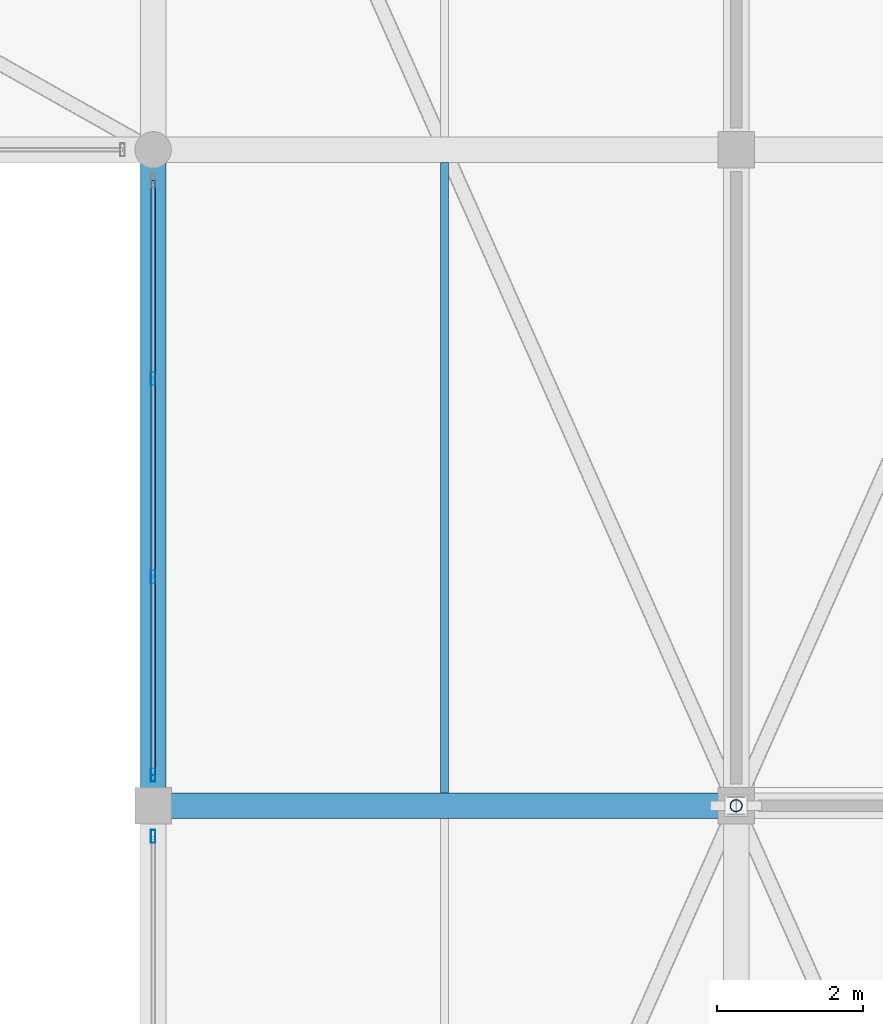
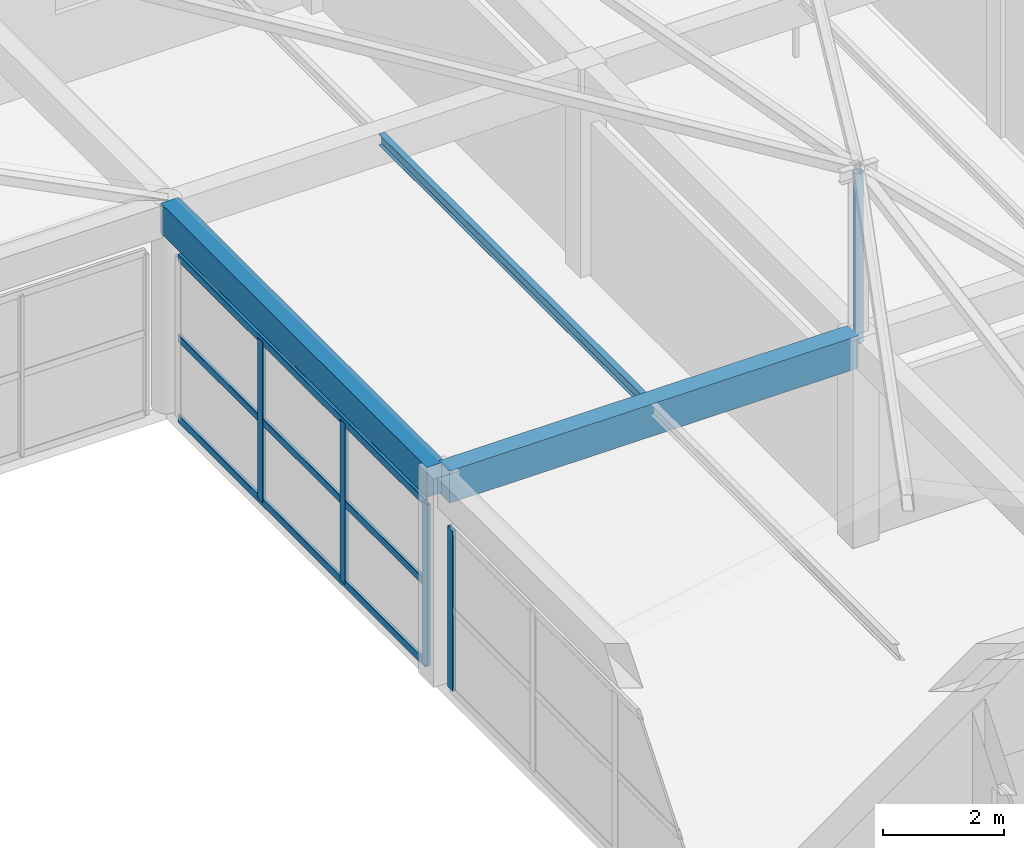
# One storey, part 40 of 65: 8 members, 3 beams, 2 elements without a shape of their own.
"""IFC4 building model written with IfcOpenShell, lengths in metres."""

from ifc_helpers import new_model, si_unit, direction, frame, origin, origin_2d, place, context, subcontext, project, spatial, rectangle, hollow_rectangle, hollow_circle, i_section, extrude, material, material_profile, profile_set, type_object, element, aggregate, save


model = new_model("IFC4")

# Units and contexts
model_context = context("Model", 3, precision=1e-05, world=origin(), true_north=direction((0.0, 1.0)))
body_context = subcontext(model_context, "Body", "Model", "MODEL_VIEW")
ifc_project = project(units=[si_unit("LENGTHUNIT", "METRE"), si_unit("AREAUNIT", "SQUARE_METRE"), si_unit("VOLUMEUNIT", "CUBIC_METRE"), si_unit("PLANEANGLEUNIT", "RADIAN"), si_unit("MASSUNIT", "GRAM", prefix="KILO")], contexts=[model_context])

# Site, building, storey
site_placement = place(None, origin())
site = spatial("IfcSite", under=ifc_project, at=site_placement, CompositionType="ELEMENT")
building_placement = place(site_placement, origin())
building = spatial("IfcBuilding", under=site, at=building_placement, Name="Varnabhumi Central Station", CompositionType="ELEMENT")
storey_placement = place(building_placement, frame((0.0, 0.0, 24.60009765625)))
storey = spatial("IfcBuildingStorey", under=building, at=storey_placement, Name="L05", CompositionType="ELEMENT", Elevation=24.60009765625)

# Beams
ifc_material_1 = material(Name="Concrete M40", Category="concrete")
ifc_material_profile_1 = material_profile(ifc_material_1, rectangle(XDim=0.35009765625, YDim=0.60009765625, at=origin_2d()), Name="Concrete M40", Category="concrete")
ifc_profile_set_1 = profile_set([ifc_material_profile_1], Name="Concrete M40")
beam_type_1 = type_object("IfcBeamType", Name="BM-RC-350x600", PredefinedType="BEAM", material=ifc_profile_set_1)
beam_1_placement = place(storey_placement, frame((144.0, 18.10009765625, 3.89990234375), z_axis=(0.0, 1.0, 0.0), x_axis=(-1.0, 0.0, 0.0)))
element("IfcBeam", 1, at=beam_1_placement, inside=storey, type_object=beam_type_1, Name="Beam L05-19:C-D", PredefinedType="BEAM", context=body_context, shape_type="SweptSolid", body=[
    extrude(rectangle(XDim=0.35009765625, YDim=0.60009765625, at=origin_2d()), origin(), (0.0, 0.0, 1.0), 8.7998046875),
])
ifc_material_profile_2 = material_profile(ifc_material_1, rectangle(XDim=0.35009765625, YDim=0.64990234375, at=origin_2d()), Name="Concrete M40", Category="concrete")
ifc_profile_set_2 = profile_set([ifc_material_profile_2], Name="Concrete M40")
beam_type_2 = type_object("IfcBeamType", Name="BM-RC-350x650", PredefinedType="BEAM", material=ifc_profile_set_2)
beam_2_placement = place(storey_placement, frame((144.10009765625, 18.0, 3.875), z_axis=(1.0, 0.0, 0.0), x_axis=(0.0, 1.0, 0.0)))
element("IfcBeam", 2, at=beam_2_placement, inside=storey, type_object=beam_type_2, Name="Beam L05-C:19-20", PredefinedType="BEAM", context=body_context, shape_type="SweptSolid", body=[
    extrude(rectangle(XDim=0.35009765625, YDim=0.64990234375, at=origin_2d()), origin(), (0.0, 0.0, 1.0), 7.7998046875),
])
ifc_material_2 = material(Name="Structural steel E350", Category="steel")
ifc_material_profile_3 = material_profile(ifc_material_2, i_section(OverallWidth=0.110107421875, OverallDepth=0.22509765625, WebThickness=0.006591796875, FlangeThickness=0.01171875, FilletRadius=0.011962890625, at=origin_2d()), Name="Structural steel E350", Category="steel")
ifc_profile_set_3 = profile_set([ifc_material_profile_3], Name="Structural steel E350")
beam_type_3 = type_object("IfcBeamType", Name="BM-STL-ISMB225", PredefinedType="JOIST", material=ifc_profile_set_3)
beam_3_placement = place(storey_placement, frame((148.0, 18.175048828125, 4.08740234375), z_axis=(0.0, 1.0, 0.0), x_axis=(-1.0, 0.0, 0.0)))
element("IfcBeam", 3, at=beam_3_placement, inside=storey, type_object=beam_type_3, Name="Secondary Joist L05-19/20:C-D", PredefinedType="JOIST", context=body_context, shape_type="SweptSolid", body=[
    extrude(i_section(OverallWidth=0.110107421875, OverallDepth=0.22509765625, WebThickness=0.006591796875, FlangeThickness=0.01171875, FilletRadius=0.011962890625, at=origin_2d()), origin(), (0.0, 0.0, 1.0), 8.64990234375),
])

# Curtain wall, member
ifc_material_3 = material(Name="Anodised aluminium 6063-T6", Category="aluminium")
curtain_wall_type = type_object("IfcCurtainWallType", Name="CW-PATIO-LOGGIA-L3", PredefinedType="NOTDEFINED", material=ifc_material_3)
curtain_wall_1_placement = place(storey_placement, origin())
curtain_wall_1 = element("IfcCurtainWall", 4, at=curtain_wall_1_placement, inside=storey, type_object=curtain_wall_type, Name="Curtain Wall CW-SP5W1", PredefinedType="NOTDEFINED")
ifc_material_profile_4 = material_profile(ifc_material_3, hollow_rectangle(XDim=0.06494140625, YDim=0.179931640625, WallThickness=0.00390625, InnerFilletRadius=0.001953125, OuterFilletRadius=0.006103515625, at=origin_2d()), Name="Anodised aluminium 6063-T6", Category="aluminium")
ifc_profile_set_4 = profile_set([ifc_material_profile_4], Name="Anodised aluminium 6063-T6")
member_type_1 = type_object("IfcMemberType", Name="CW-MUL-180", PredefinedType="MULLION", material=ifc_profile_set_4)
member_1_placement = place(storey_placement, frame((144.0, 17.580078125, 0.0), z_axis=(0.0, 0.0, 1.0), x_axis=(1.0, 0.0, 0.0)))
member_1 = element("IfcMember", 5, at=member_1_placement, type_object=member_type_1, Name="Curtain Wall Mullion CW-SP5W1-M4", PredefinedType="MULLION", context=body_context, shape_type="SweptSolid", body=[
    extrude(hollow_rectangle(XDim=0.06494140625, YDim=0.179931640625, WallThickness=0.00390625, InnerFilletRadius=0.001953125, OuterFilletRadius=0.006103515625, at=origin_2d()), origin(), (0.0, 0.0, 1.0), 3.239990234375),
])
aggregate(curtain_wall_1, [member_1])

# Curtain wall, members
curtain_wall_2_placement = place(storey_placement, origin())
curtain_wall_2 = element("IfcCurtainWall", 6, at=curtain_wall_2_placement, inside=storey, type_object=curtain_wall_type, Name="Curtain Wall CW-SP5W2", PredefinedType="NOTDEFINED")
member_2_placement = place(storey_placement, frame((144.0, 18.419921875, 0.0), z_axis=(0.0, 0.0, 1.0), x_axis=(1.0, 0.0, 0.0)))
member_2 = element("IfcMember", 7, at=member_2_placement, type_object=member_type_1, Name="Curtain Wall Mullion CW-SP5W2-M1", PredefinedType="MULLION", context=body_context, shape_type="SweptSolid", body=[
    extrude(hollow_rectangle(XDim=0.06494140625, YDim=0.179931640625, WallThickness=0.00390625, InnerFilletRadius=0.001953125, OuterFilletRadius=0.006103515625, at=origin_2d()), origin(), (0.0, 0.0, 1.0), 3.239990234375),
])
member_3_placement = place(storey_placement, frame((144.0, 21.139892578125, 0.0), z_axis=(0.0, 0.0, 1.0), x_axis=(1.0, 0.0, 0.0)))
member_3 = element("IfcMember", 8, at=member_3_placement, type_object=member_type_1, Name="Curtain Wall Mullion CW-SP5W2-M2", PredefinedType="MULLION", context=body_context, shape_type="SweptSolid", body=[
    extrude(hollow_rectangle(XDim=0.06494140625, YDim=0.179931640625, WallThickness=0.00390625, InnerFilletRadius=0.001953125, OuterFilletRadius=0.006103515625, at=origin_2d()), origin(), (0.0, 0.0, 1.0), 3.239990234375),
])
member_4_placement = place(storey_placement, frame((144.0, 23.860107421875, 0.0), z_axis=(0.0, 0.0, 1.0), x_axis=(1.0, 0.0, 0.0)))
member_4 = element("IfcMember", 9, at=member_4_placement, type_object=member_type_1, Name="Curtain Wall Mullion CW-SP5W2-M3", PredefinedType="MULLION", context=body_context, shape_type="SweptSolid", body=[
    extrude(hollow_rectangle(XDim=0.06494140625, YDim=0.179931640625, WallThickness=0.00390625, InnerFilletRadius=0.001953125, OuterFilletRadius=0.006103515625, at=origin_2d()), origin(), (0.0, 0.0, 1.0), 3.239990234375),
])
ifc_material_profile_5 = material_profile(ifc_material_3, hollow_rectangle(XDim=0.06005859375, YDim=0.14990234375, WallThickness=0.00390625, InnerFilletRadius=0.001953125, OuterFilletRadius=0.006103515625, at=origin_2d()), Name="Anodised aluminium 6063-T6", Category="aluminium")
ifc_profile_set_5 = profile_set([ifc_material_profile_5], Name="Anodised aluminium 6063-T6")
member_type_2 = type_object("IfcMemberType", Name="CW-TR-150", PredefinedType="USERDEFINED", material=ifc_profile_set_5)
member_5_placement = place(storey_placement, frame((144.0, 18.419921875, 0.0), z_axis=(0.0, 1.0, 0.0), x_axis=(-1.0, 0.0, 0.0)))
member_5 = element("IfcMember", 10, at=member_5_placement, type_object=member_type_2, Name="Curtain Wall Transom CW-SP5W2-T1", ObjectType="TRANSOM", PredefinedType="USERDEFINED", context=body_context, shape_type="SweptSolid", body=[
    extrude(hollow_rectangle(XDim=0.06005859375, YDim=0.14990234375, WallThickness=0.00390625, InnerFilletRadius=0.001953125, OuterFilletRadius=0.006103515625, at=origin_2d()), origin(), (0.0, 0.0, 1.0), 8.16015625),
])
member_6_placement = place(storey_placement, frame((144.0, 18.419921875, 1.619873046875), z_axis=(0.0, 1.0, 0.0), x_axis=(-1.0, 0.0, 0.0)))
member_6 = element("IfcMember", 11, at=member_6_placement, type_object=member_type_2, Name="Curtain Wall Transom CW-SP5W2-T2", ObjectType="TRANSOM", PredefinedType="USERDEFINED", context=body_context, shape_type="SweptSolid", body=[
    extrude(hollow_rectangle(XDim=0.06005859375, YDim=0.14990234375, WallThickness=0.00390625, InnerFilletRadius=0.001953125, OuterFilletRadius=0.006103515625, at=origin_2d()), origin(), (0.0, 0.0, 1.0), 8.16015625),
])
member_7_placement = place(storey_placement, frame((144.0, 18.419921875, 3.239990234375), z_axis=(0.0, 1.0, 0.0), x_axis=(-1.0, 0.0, 0.0)))
member_7 = element("IfcMember", 12, at=member_7_placement, type_object=member_type_2, Name="Curtain Wall Transom CW-SP5W2-T3", ObjectType="TRANSOM", PredefinedType="USERDEFINED", context=body_context, shape_type="SweptSolid", body=[
    extrude(hollow_rectangle(XDim=0.06005859375, YDim=0.14990234375, WallThickness=0.00390625, InnerFilletRadius=0.001953125, OuterFilletRadius=0.006103515625, at=origin_2d()), origin(), (0.0, 0.0, 1.0), 8.16015625),
])
aggregate(curtain_wall_2, [member_2, member_3, member_4, member_5, member_6, member_7])

# Member
ifc_material_profile_6 = material_profile(ifc_material_2, hollow_circle(Radius=0.084228515625, WallThickness=0.008056640625, at=origin_2d()), Name="Structural steel E350", Category="steel")
ifc_profile_set_6 = profile_set([ifc_material_profile_6], Name="Structural steel E350")
member_type_3 = type_object("IfcMemberType", Name="MBR-STRUT-CHS168", PredefinedType="STRUT", material=ifc_profile_set_6)
member_8_placement = place(storey_placement, frame((152.0, 18.0, 3.949951171875), z_axis=(0.0, 0.0, 1.0), x_axis=(1.0, 0.0, 0.0)))
element("IfcMember", 13, at=member_8_placement, inside=storey, type_object=member_type_3, Name="Mission Roof King Strut SW6W-2", PredefinedType="STRUT", context=body_context, shape_type="SweptSolid", body=[
    extrude(hollow_circle(Radius=0.084228515625, WallThickness=0.008056640625, at=origin_2d()), origin(), (0.0, 0.0, 1.0), 3.429931640625),
])

save(model, "model.ifc")
